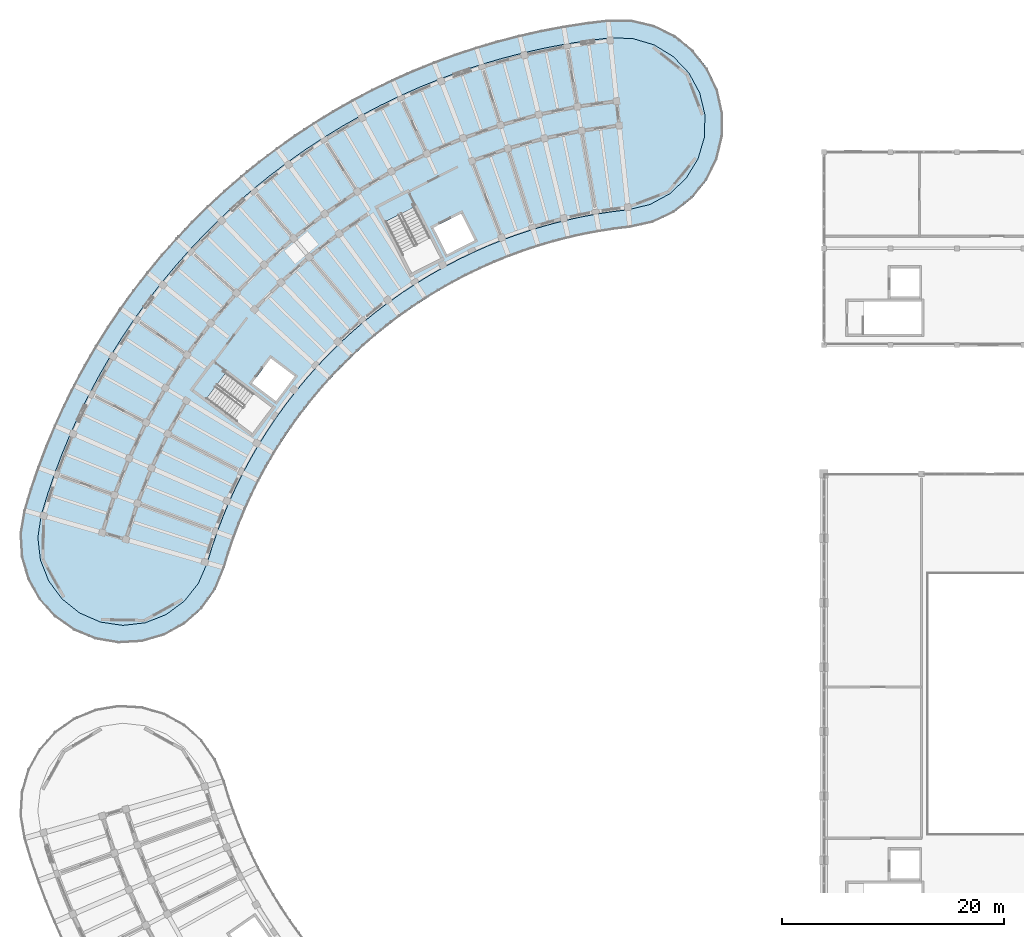
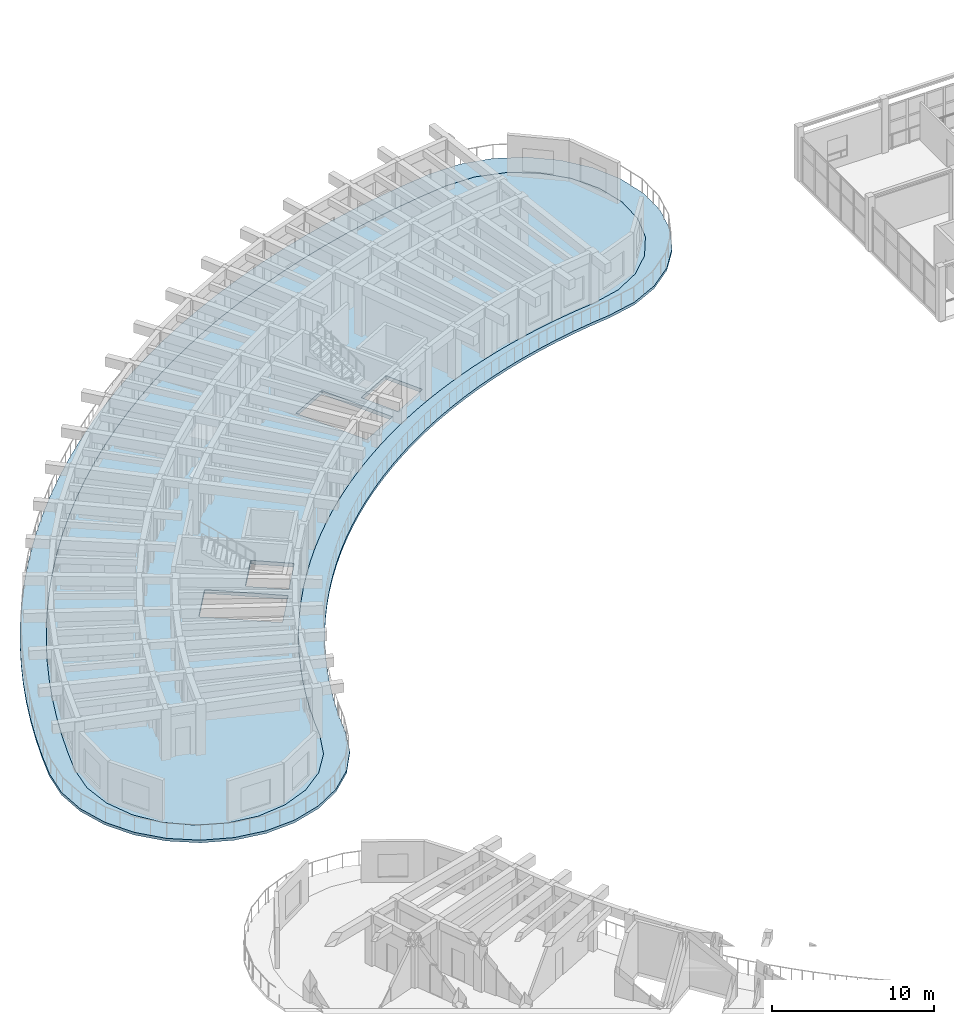
# One storey, part 72 of 128: 2 slabs.
"""IFC4 building model written with IfcOpenShell, lengths in metres."""

from ifc_helpers import new_model, si_unit, direction, frame, origin, place, context, subcontext, project, spatial, polyline, outline, extrude, material, layer, layer_set, type_object, element, save


model = new_model("IFC4")

# Units and contexts
model_context = context("Model", 3, precision=1e-05, world=origin(), true_north=direction((0.0, 1.0)))
body_context = subcontext(model_context, "Body", "Model", "MODEL_VIEW")
ifc_project = project(units=[si_unit("LENGTHUNIT", "METRE"), si_unit("AREAUNIT", "SQUARE_METRE"), si_unit("VOLUMEUNIT", "CUBIC_METRE"), si_unit("PLANEANGLEUNIT", "RADIAN"), si_unit("MASSUNIT", "GRAM", prefix="KILO")], contexts=[model_context])

# Site, building, storey
site_placement = place(None, origin())
site = spatial("IfcSite", under=ifc_project, at=site_placement, CompositionType="ELEMENT")
building_placement = place(site_placement, origin())
building = spatial("IfcBuilding", under=site, at=building_placement, Name="Tanwirah Colonnade Gardens", CompositionType="ELEMENT")
storey_placement = place(building_placement, frame((0.0, 0.0, 4.760009765625)))
storey = spatial("IfcBuildingStorey", under=building, at=storey_placement, Name="L01", CompositionType="ELEMENT", Elevation=4.760009765625)

# Slabs
ifc_material_1 = material(Name="White architectural precast concrete C40/50", Category="concrete")
ifc_layer_1 = layer(ifc_material_1, 0.199951171875)
ifc_layer_set_1 = layer_set([ifc_layer_1], Name="White architectural precast concrete C40/50")
slab_type_1 = type_object("IfcSlabType", Name="SL-BAL-200", PredefinedType="FLOOR", material=ifc_layer_set_1)
slab_1_placement = place(storey_placement, frame((0.0, 0.0, -0.199951171875)))
element("IfcSlab", 1, at=slab_1_placement, inside=storey, type_object=slab_type_1, Name="Block A L01 Continuous White Balcony Ribbon", PredefinedType="FLOOR", context=body_context, shape_type="SweptSolid", body=[
    extrude(outline(polyline([(62.602783203125, 103.019775390625), (64.505859375, 103.918701171875), (66.161376953125, 105.21875), (67.486083984375, 106.854736328125), (68.41357421875, 108.744140625), (68.897216796875, 110.792724609375), (68.9130859375, 112.897705078125), (68.4599609375, 114.953369140625), (67.560791015625, 116.8564453125), (66.2607421875, 118.511962890625), (64.625, 119.836669921875), (62.7353515625, 120.76416015625), (60.686767578125, 121.247802734375), (58.58203125, 121.263671875), (56.57275390625, 121.018798828125), (54.572509765625, 120.7080078125), (52.583740234375, 120.33154296875), (50.608642578125, 119.8896484375), (48.64892578125, 119.3828125), (46.70703125, 118.811767578125), (44.78515625, 118.1767578125), (42.885009765625, 117.47900390625), (41.009033203125, 116.718994140625), (39.1591796875, 115.8974609375), (37.33740234375, 115.015380859375), (35.545654296875, 114.073974609375), (33.785888671875, 113.07373046875), (32.06005859375, 112.01611328125), (30.3701171875, 110.90234375), (28.717529296875, 109.7333984375), (27.104736328125, 108.510498046875), (25.532958984375, 107.235107421875), (24.00390625, 105.90869140625), (22.51953125, 104.532470703125), (21.08154296875, 103.108154296875), (19.69091796875, 101.63720703125), (18.349853515625, 100.121337890625), (17.059326171875, 98.56201171875), (15.82080078125, 96.9609375), (14.6357421875, 95.320068359375), (13.505615234375, 93.640869140625), (12.431396484375, 91.92529296875), (11.414306640625, 90.17529296875), (10.455322265625, 88.392822265625), (9.5556640625, 86.57958984375), (8.71630859375, 84.73779296875), (7.93798828125, 82.869140625), (7.221923828125, 80.97607421875), (6.568359375, 79.060302734375), (5.978515625, 77.1240234375), (5.62841796875, 75.048583984375), (5.749267578125, 72.947021484375), (6.33447265625, 70.925048828125), (7.35498046875, 69.083984375), (8.759521484375, 67.516357421875), (10.477783203125, 66.30029296875), (12.42333984375, 65.497314453125), (14.4990234375, 65.147216796875), (16.6005859375, 65.267822265625), (18.62255859375, 65.853271484375), (20.46337890625, 66.873779296875), (22.03125, 68.2783203125), (23.2470703125, 69.996337890625), (24.05029296875, 71.942138671875), (24.45947265625, 73.28564453125), (24.912841796875, 74.61474609375), (25.409912109375, 75.92822265625), (25.94970703125, 77.224609375), (26.531982421875, 78.50244140625), (27.15625, 79.760498046875), (27.821533203125, 80.997314453125), (28.52734375, 82.21142578125), (29.272705078125, 83.401611328125), (30.056884765625, 84.566650390625), (30.87890625, 85.705078125), (31.73828125, 86.81591796875), (32.633544921875, 87.89794921875), (33.564208984375, 88.94970703125), (34.52880859375, 89.97021484375), (35.526611328125, 90.95849609375), (36.556396484375, 91.9130859375), (37.6171875, 92.83349609375), (38.707763671875, 93.71826171875), (39.826904296875, 94.566650390625), (40.973388671875, 95.3779296875), (42.14599609375, 96.150634765625), (43.34326171875, 96.884521484375), (44.564208984375, 97.578369140625), (45.807373046875, 98.231689453125), (47.0712890625, 98.843505859375), (48.354736328125, 99.41357421875), (49.656494140625, 99.94091796875), (50.974609375, 100.425048828125), (52.30810546875, 100.865478515625), (53.655517578125, 101.26171875), (55.01513671875, 101.61328125), (56.385498046875, 101.919921875), (57.765380859375, 102.18115234375), (59.153076171875, 102.396728515625), (60.547119140625, 102.566650390625), (62.602783203125, 103.019775390625)]), holes=[polyline([(62.3525390625, 104.652099609375), (60.376220703125, 104.177490234375), (58.930908203125, 104.00146484375), (58.930419921875, 104.00146484375), (57.490478515625, 103.777587890625), (57.489990234375, 103.777587890625), (56.058349609375, 103.506591796875), (56.0576171875, 103.50634765625), (54.6357421875, 103.188232421875), (54.635009765625, 103.18798828125), (53.224365234375, 102.8232421875), (53.2236328125, 102.822998046875), (51.825927734375, 102.411865234375), (51.8251953125, 102.411865234375), (50.441650390625, 101.954833984375), (50.44091796875, 101.95458984375), (49.0732421875, 101.4521484375), (49.07275390625, 101.451904296875), (47.72216796875, 100.90478515625), (47.7216796875, 100.904541015625), (46.389892578125, 100.313232421875), (46.38916015625, 100.31298828125), (45.077880859375, 99.677978515625), (45.0771484375, 99.677734375), (43.787353515625, 99.0), (43.786865234375, 98.99951171875), (42.52001953125, 98.279541015625), (42.51953125, 98.279296875), (41.277099609375, 97.51806640625), (41.276611328125, 97.517578125), (40.059814453125, 96.7158203125), (40.059326171875, 96.71533203125), (38.869873046875, 95.873779296875), (38.869384765625, 95.87353515625), (37.708251953125, 94.9931640625), (37.707763671875, 94.99267578125), (36.576171875, 94.07470703125), (36.57568359375, 94.07421875), (35.47509765625, 93.119384765625), (35.474609375, 93.118896484375), (34.406005859375, 92.12841796875), (34.405517578125, 92.1279296875), (33.370361328125, 91.1025390625), (33.369873046875, 91.10205078125), (32.368896484375, 90.043212890625), (32.368408203125, 90.042724609375), (31.40283203125, 88.951416015625), (31.402587890625, 88.950927734375), (30.473388671875, 87.828369140625), (30.47314453125, 87.827880859375), (29.58154296875, 86.67529296875), (29.581298828125, 86.6748046875), (28.728271484375, 85.493408203125), (28.727783203125, 85.492919921875), (27.9140625, 84.2841796875), (27.913818359375, 84.28369140625), (27.140380859375, 83.048828125), (27.14013671875, 83.048095703125), (26.407958984375, 81.788330078125), (26.40771484375, 81.787841796875), (25.71728515625, 80.504638671875), (25.717041015625, 80.504150390625), (25.0693359375, 79.19873046875), (25.069091796875, 79.1982421875), (24.46484375, 77.872314453125), (24.464599609375, 77.87158203125), (23.904296875, 76.526611328125), (23.904052734375, 76.52587890625), (23.388671875, 75.1630859375), (23.388427734375, 75.16259765625), (22.91796875, 73.783447265625), (22.917724609375, 73.78271484375), (22.493408203125, 72.39013671875), (21.68310546875, 70.526123046875), (20.418701171875, 68.936767578125), (18.7861328125, 67.728759765625), (16.896484375, 66.984375), (14.878662109375, 66.75439453125), (12.869873046875, 67.0546875), (11.007568359375, 67.864501953125), (9.41796875, 69.12890625), (8.2099609375, 70.761474609375), (7.465576171875, 72.651123046875), (7.23583984375, 74.6689453125), (7.5361328125, 76.6787109375), (8.110107421875, 78.562744140625), (8.746337890625, 80.427978515625), (9.443603515625, 82.271240234375), (10.201171875, 84.09033203125), (11.0185546875, 85.883544921875), (11.89453125, 87.64892578125), (12.828125, 89.384521484375), (13.818359375, 91.08837890625), (14.8642578125, 92.758544921875), (15.964599609375, 94.393310546875), (17.118408203125, 95.990966796875), (18.32421875, 97.5498046875), (19.58056640625, 99.068115234375), (20.886474609375, 100.5439453125), (22.240234375, 101.97607421875), (23.640380859375, 103.36279296875), (25.085693359375, 104.70263671875), (26.57421875, 105.994140625), (28.1044921875, 107.23583984375), (29.6748046875, 108.42626953125), (31.28369140625, 109.564453125), (32.92919921875, 110.649169921875), (34.609375, 111.6787109375), (36.32275390625, 112.652587890625), (38.067138671875, 113.5693359375), (39.841064453125, 114.427978515625), (41.64208984375, 115.227783203125), (43.468505859375, 115.9677734375), (45.318359375, 116.647216796875), (47.189697265625, 117.26513671875), (49.080322265625, 117.8212890625), (50.98828125, 118.314697265625), (52.911376953125, 118.744873046875), (54.84765625, 119.111572265625), (56.795166015625, 119.414306640625), (58.750244140625, 119.65234375), (60.781494140625, 119.59912109375), (62.728759765625, 119.0224609375), (64.46044921875, 117.961181640625), (65.858642578125, 116.488037109375), (66.82763671875, 114.703125), (67.3017578125, 112.728271484375), (67.24853515625, 110.697998046875), (66.671630859375, 108.750732421875), (65.610595703125, 107.01904296875), (64.137451171875, 105.62109375), (62.3525390625, 104.652099609375)])]), origin(), (0.0, 0.0, 1.0), 0.199951171875),
])
ifc_material_2 = material(Name="Concrete C45/55", Category="concrete")
ifc_layer_2 = layer(ifc_material_2, 0.27490234375)
ifc_layer_set_2 = layer_set([ifc_layer_2], Name="Concrete C45/55")
slab_type_2 = type_object("IfcSlabType", Name="SL-POD-275", PredefinedType="FLOOR", material=ifc_layer_set_2)
slab_2_placement = place(storey_placement, frame((0.0, 0.0, -0.27490234375)))
element("IfcSlab", 2, at=slab_2_placement, inside=storey, type_object=slab_type_2, Name="Block A L01 Precast Composite Floor Slab", PredefinedType="FLOOR", context=body_context, shape_type="SweptSolid", body=[
    extrude(outline(polyline([(57.49365234375, 103.758056640625), (58.933349609375, 103.981689453125), (60.3798828125, 104.157958984375), (62.35986328125, 104.63330078125), (64.149169921875, 105.604736328125), (65.626220703125, 107.00634765625), (66.690185546875, 108.74267578125), (67.2685546875, 110.695068359375), (67.32177734375, 112.73046875), (66.846435546875, 114.71044921875), (65.874755859375, 116.499755859375), (64.47314453125, 117.976806640625), (62.737060546875, 119.040771484375), (60.78466796875, 119.619140625), (58.749267578125, 119.67236328125), (56.792236328125, 119.43408203125), (54.84423828125, 119.13134765625), (52.907470703125, 118.7646484375), (50.983642578125, 118.334228515625), (49.074951171875, 117.840576171875), (47.183837890625, 117.284423828125), (45.311767578125, 116.666015625), (43.46142578125, 115.986328125), (41.63427734375, 115.24609375), (39.83251953125, 114.446044921875), (38.05810546875, 113.587158203125), (36.313232421875, 112.669921875), (34.599365234375, 111.696044921875), (32.91845703125, 110.666015625), (31.2724609375, 109.5810546875), (29.6630859375, 108.442626953125), (28.092041015625, 107.25146484375), (26.561279296875, 106.009521484375), (25.072265625, 104.717529296875), (23.62646484375, 103.377197265625), (22.225830078125, 101.990234375), (20.87158203125, 100.5576171875), (19.5654296875, 99.0810546875), (18.30859375, 97.562255859375), (17.102294921875, 96.0029296875), (15.9482421875, 94.40478515625), (14.847412109375, 92.76953125), (13.80126953125, 91.0986328125), (12.810546875, 89.394287109375), (11.876708984375, 87.658203125), (11.00048828125, 85.892333984375), (10.182861328125, 84.098388671875), (9.425048828125, 82.278564453125), (8.7275390625, 80.434814453125), (8.091064453125, 78.56884765625), (7.5166015625, 76.68310546875), (7.215576171875, 74.669189453125), (7.446044921875, 72.646240234375), (8.1923828125, 70.751708984375), (9.403564453125, 69.11474609375), (10.9970703125, 67.84716796875), (12.864501953125, 67.035400390625), (14.878173828125, 66.734375), (16.9013671875, 66.96484375), (18.7958984375, 67.711181640625), (20.4326171875, 68.92236328125), (21.7001953125, 70.515869140625), (22.51220703125, 72.383056640625), (22.93701171875, 73.777099609375), (23.4072265625, 75.156005859375), (23.9228515625, 76.518798828125), (24.483154296875, 77.864013671875), (25.08740234375, 79.18994140625), (25.73486328125, 80.4951171875), (26.42529296875, 81.7783203125), (27.157470703125, 83.0380859375), (27.9306640625, 84.27294921875), (28.744384765625, 85.48193359375), (29.597412109375, 86.6630859375), (30.489013671875, 87.815673828125), (31.41796875, 88.938232421875), (32.38330078125, 90.029541015625), (33.38427734375, 91.08837890625), (34.419677734375, 92.11376953125), (35.48828125, 93.104248046875), (36.5888671875, 94.05908203125), (37.72021484375, 94.977294921875), (38.88134765625, 95.857421875), (40.07080078125, 96.698974609375), (41.28759765625, 97.5009765625), (42.52978515625, 98.26220703125), (43.796630859375, 98.982177734375), (45.08642578125, 99.659912109375), (46.39794921875, 100.294921875), (47.729736328125, 100.88623046875), (49.080078125, 101.433349609375), (50.447998046875, 101.935791015625), (51.83154296875, 102.392822265625), (53.229248046875, 102.803955078125), (54.64013671875, 103.168701171875), (56.06201171875, 103.48681640625), (57.49365234375, 103.758056640625)]), holes=[polyline([(41.13427734375, 104.433349609375), (43.49365234375, 99.802734375), (40.897216796875, 98.479736328125), (38.537841796875, 103.1103515625), (41.13427734375, 104.433349609375)]), polyline([(46.574462890625, 101.428466796875), (44.07958984375, 100.157470703125), (42.853759765625, 102.563232421875), (45.3486328125, 103.834228515625), (46.574462890625, 101.428466796875)]), polyline([(26.555908203125, 84.039794921875), (22.4052734375, 87.16748046875), (24.158935546875, 89.49462890625), (28.3095703125, 86.366943359375), (26.555908203125, 84.039794921875)]), polyline([(26.5244140625, 88.5673828125), (28.20947265625, 90.8037109375), (30.36572265625, 89.1787109375), (28.6806640625, 86.942626953125), (26.5244140625, 88.5673828125)])]), origin(), (0.0, 0.0, 1.0), 0.27490234375),
])

save(model, "model.ifc")
